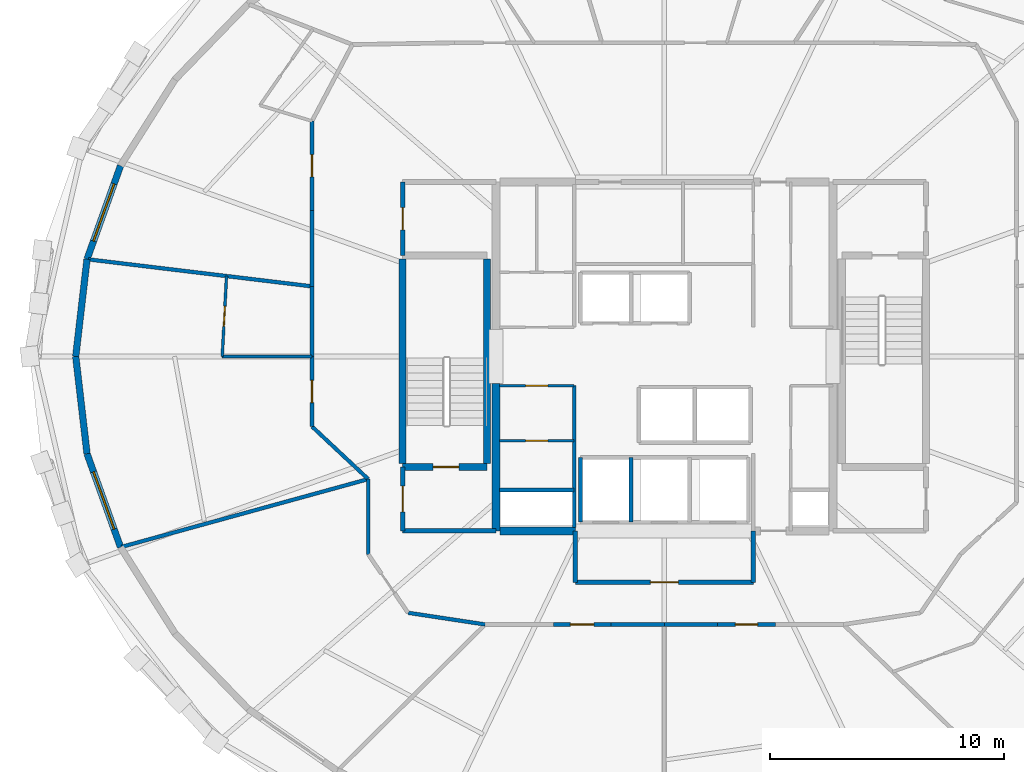
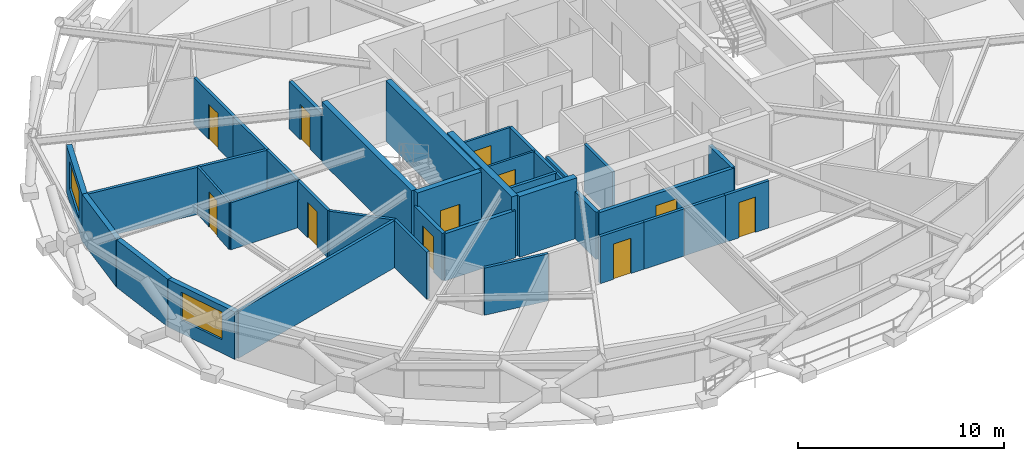
# One storey, part 12 of 16: 36 walls, 11 doors, 2 windows, 13 openings.
"""IFC4 building model written with IfcOpenShell, lengths in metres."""

from ifc_helpers import new_model, si_unit, direction, frame, frame_2d, origin, place, context, subcontext, project, spatial, rectangle, extrude, material, layer, layer_set, type_object, element, fill, save


model = new_model("IFC4")

# Units and contexts
model_context = context("Model", 3, precision=1e-05, world=origin(), true_north=direction((0.0, 1.0)))
body_context = subcontext(model_context, "Body", "Model", "MODEL_VIEW")
ifc_project = project(units=[si_unit("LENGTHUNIT", "METRE"), si_unit("AREAUNIT", "SQUARE_METRE"), si_unit("VOLUMEUNIT", "CUBIC_METRE"), si_unit("PLANEANGLEUNIT", "RADIAN"), si_unit("MASSUNIT", "GRAM", prefix="KILO")], contexts=[model_context])

# Site, building, storey
site_placement = place(None, origin())
site = spatial("IfcSite", under=ifc_project, at=site_placement, CompositionType="ELEMENT")
building_placement = place(site_placement, origin())
building = spatial("IfcBuilding", under=site, at=building_placement, Name="Veldorina Hangang Commons", CompositionType="ELEMENT")
storey_placement = place(building_placement, frame((0.0, 0.0, 189.199951171875)))
storey = spatial("IfcBuildingStorey", under=building, at=storey_placement, Name="L49", CompositionType="ELEMENT", Elevation=189.199951171875)

# Walls
ifc_material_1 = material(Name="Concrete C60/75", Category="concrete")
ifc_layer_1 = layer(ifc_material_1, 0.340087890625)
ifc_layer_set_1 = layer_set([ifc_layer_1], Name="Concrete C60/75")
wall_type_1 = type_object("IfcWallType", Name="CW-RC340-C60", PredefinedType="SHEAR", material=ifc_layer_set_1)
wall_1_placement = place(storey_placement, frame((24.800048828125, 16.550048828125, 0.0), z_axis=(0.0, 0.0, 1.0), x_axis=(0.0, 1.0, 0.0)))
element("IfcWall", 1, at=wall_1_placement, inside=storey, type_object=wall_type_1, Name="L49 W south core shear wall", PredefinedType="SHEAR", context=body_context, shape_type="SweptSolid", body=[
    extrude(rectangle(XDim=6.300048828125, YDim=0.340087890625, at=frame_2d((3.14990234375, 0.0))), origin(), (0.0, 0.0, 1.0), 3.60009765625),
])
wall_2_placement = place(storey_placement, frame((24.969970703125, 16.550048828125, 0.0), z_axis=(0.0, 0.0, 1.0), x_axis=(1.0, 0.0, 0.0)))
element("IfcWall", 2, at=wall_2_placement, inside=storey, type_object=wall_type_1, Name="L49 south-west core shear wall", PredefinedType="SHEAR", context=body_context, shape_type="SweptSolid", body=[
    extrude(rectangle(XDim=3.22998046875, YDim=0.340087890625, at=frame_2d((1.614990234375, 0.0))), origin(), (0.0, 0.0, 1.0), 3.60009765625),
])

# Wall, opening, window
ifc_material_2 = material(Name="Stone Roman Travertine", Category="masonry")
ifc_layer_2 = layer(ifc_material_2, 0.280029296875)
ifc_layer_set_2 = layer_set([ifc_layer_2], Name="Stone Roman Travertine")
wall_type_2 = type_object("IfcWallType", Name="EW-TRAV-280", PredefinedType="STANDARD", material=ifc_layer_set_2)
wall_3_placement = place(storey_placement, frame((8.77001953125, 32.14794921875, 0.0), z_axis=(0.0, 0.0, 1.0), x_axis=(-0.337262137127, -0.941410776898, 0.0)))
wall_3 = element("IfcWall", 3, at=wall_3_placement, inside=storey, type_object=wall_type_2, Name="L49 travertine facade wall 14", PredefinedType="STANDARD", context=body_context, shape_type="SweptSolid", body=[
    extrude(rectangle(XDim=4.24267578125, YDim=0.280029296875, at=frame_2d((2.121337890625, 0.0))), origin(), (0.0, 0.0, 1.0), 2.820068359375),
])
opening_1_placement = place(wall_3_placement, frame((0.8212890625, 0.0, 0.800048828125)))
opening_1 = element("IfcOpeningElement", 4, at=opening_1_placement, cuts=wall_3, Name="Opening W-02", PredefinedType="OPENING", context=body_context, shape_type="SweptSolid", body=[
    extrude(rectangle(XDim=2.60009765625, YDim=1.64990234375, at=frame_2d((1.300048828125, 0.824951171875))), frame((0.0, 0.14990234375, 0.0), z_axis=(0.0, -1.0, 0.0), x_axis=(1.0, 0.0, 0.0)), (0.0, 0.0, 1.0), 0.300048828125),
])
ifc_material_3 = material(Name="Glass Low-E Triple IGU", Category="glass")
window_type = type_object("IfcWindowType", Name="WIN-TWR-2600", PartitioningType="SINGLE_PANEL", PredefinedType="WINDOW", material=ifc_material_3)
window_1_placement = place(opening_1_placement, origin())
window_1 = element("IfcWindow", 5, at=window_1_placement, inside=storey, type_object=window_type, Name="L49 facade window 14", OverallHeight=1.64990234375, OverallWidth=2.60009765625, PartitioningType="SINGLE_PANEL", PredefinedType="WINDOW", context=body_context, shape_type="SweptSolid", body=[
    extrude(rectangle(XDim=2.60009765625, YDim=1.64990234375, at=frame_2d((1.300048828125, 0.824951171875))), frame((0.0, 0.030029296875, 0.0), z_axis=(0.0, -1.0, 0.0), x_axis=(1.0, 0.0, 0.0)), (0.0, 0.0, 1.0), 0.06005859375),
])
fill(opening_1, window_1)

# Walls
for number, where, z_axis, x_axis, name in (
    (6, (7.339111328125, 28.15380859375, 0.0), (0.0, 0.0, 1.0), (-0.115537027225, -0.99330317393, 0.0), "L49 travertine facade wall 15"),
    (7, (6.85595703125, 24.0, 0.0), (0.0, 0.0, 1.0), (0.115537027225, -0.99330317393, 0.0), "L49 travertine facade wall 16"),
):
    element("IfcWall", number, at=place(storey_placement, frame(where, z_axis=z_axis, x_axis=x_axis)), inside=storey, type_object=wall_type_2, Name=name, PredefinedType="STANDARD", context=body_context, shape_type="SweptSolid", body=[
        extrude(rectangle(XDim=4.181884765625, YDim=0.280029296875, at=frame_2d((2.0908203125, 0.0))), origin(), (0.0, 0.0, 1.0), 2.820068359375),
    ])

# Wall, opening, window
wall_4_placement = place(storey_placement, frame((7.339111328125, 19.84619140625, 0.0), z_axis=(0.0, 0.0, 1.0), x_axis=(0.337262137127, -0.941410776898, 0.0)))
wall_4 = element("IfcWall", 8, at=wall_4_placement, inside=storey, type_object=wall_type_2, Name="L49 travertine facade wall 17", PredefinedType="STANDARD", context=body_context, shape_type="SweptSolid", body=[
    extrude(rectangle(XDim=4.24267578125, YDim=0.280029296875, at=frame_2d((2.121337890625, 0.0))), origin(), (0.0, 0.0, 1.0), 2.820068359375),
])
opening_2_placement = place(wall_4_placement, frame((0.8212890625, 0.0, 0.800048828125)))
opening_2 = element("IfcOpeningElement", 9, at=opening_2_placement, cuts=wall_4, Name="Opening W-02", PredefinedType="OPENING", context=body_context, shape_type="SweptSolid", body=[
    extrude(rectangle(XDim=2.60009765625, YDim=1.64990234375, at=frame_2d((1.300048828125, 0.824951171875))), frame((0.0, 0.14990234375, 0.0), z_axis=(0.0, -1.0, 0.0), x_axis=(1.0, 0.0, 0.0)), (0.0, 0.0, 1.0), 0.300048828125),
])
window_2_placement = place(opening_2_placement, origin())
window_2 = element("IfcWindow", 10, at=window_2_placement, inside=storey, type_object=window_type, Name="L49 facade window 17", OverallHeight=1.64990234375, OverallWidth=2.60009765625, PartitioningType="SINGLE_PANEL", PredefinedType="WINDOW", context=body_context, shape_type="SweptSolid", body=[
    extrude(rectangle(XDim=2.60009765625, YDim=1.64990234375, at=frame_2d((1.300048828125, 0.824951171875))), frame((0.0, 0.030029296875, 0.0), z_axis=(0.0, -1.0, 0.0), x_axis=(1.0, 0.0, 0.0)), (0.0, 0.0, 1.0), 0.06005859375),
])
fill(opening_2, window_2)

# Walls
ifc_material_4 = material(Name="Concrete C50/60", Category="concrete")
ifc_layer_3 = layer(ifc_material_4, 0.300048828125)
ifc_layer_set_3 = layer_set([ifc_layer_3], Name="Concrete C50/60")
wall_type_3 = type_object("IfcWallType", Name="SW-STAIR-300", PredefinedType="SHEAR", material=ifc_layer_set_3)
for number, where, z_axis, x_axis, name in (
    (11, (20.820068359375, 19.429931640625, 0.0), (0.0, 0.0, 1.0), (0.0, 1.0, 0.0), "L49 ST1 outer stair shear wall"),
    (12, (24.419921875, 19.429931640625, 0.0), (0.0, 0.0, 1.0), (0.0, 1.0, 0.0), "L49 ST1 inner stair shear wall"),
):
    element("IfcWall", number, at=place(storey_placement, frame(where, z_axis=z_axis, x_axis=x_axis)), inside=storey, type_object=wall_type_3, Name=name, PredefinedType="SHEAR", context=body_context, shape_type="SweptSolid", body=[
        extrude(rectangle(XDim=8.739990234375, YDim=0.300048828125, at=frame_2d((4.3701171875, 0.0))), origin(), (0.0, 0.0, 1.0), 3.60009765625),
    ])

# Wall, opening, door
wall_5_placement = place(storey_placement, frame((20.820068359375, 19.280029296875, 0.0), z_axis=(0.0, 0.0, 1.0), x_axis=(1.0, 0.0, 0.0)))
wall_5 = element("IfcWall", 13, at=wall_5_placement, inside=storey, type_object=wall_type_3, Name="L49 ST1 south stair shear wall", PredefinedType="SHEAR", context=body_context, shape_type="SweptSolid", body=[
    extrude(rectangle(XDim=3.599853515625, YDim=0.300048828125, at=frame_2d((1.7998046875, 0.0))), origin(), (0.0, 0.0, 1.0), 3.60009765625),
])
opening_3_placement = place(wall_5_placement, frame((1.300048828125, 0.0, 0.0)))
opening_3 = element("IfcOpeningElement", 14, at=opening_3_placement, cuts=wall_5, Name="Opening D-08", PredefinedType="OPENING", context=body_context, shape_type="SweptSolid", body=[
    extrude(rectangle(XDim=1.10009765625, YDim=2.10009765625, at=frame_2d((0.550048828125, 1.050048828125))), frame((0.0, 0.16015625, 0.0), z_axis=(0.0, -1.0, 0.0), x_axis=(1.0, 0.0, 0.0)), (0.0, 0.0, 1.0), 0.320068359375),
])
ifc_material_5 = material(Name="Steel Fire-Rated Smoke Seal", Category="steel")
door_type_1 = type_object("IfcDoorType", Name="DR-FIRE-1100", OperationType="SINGLE_SWING_RIGHT", PredefinedType="DOOR", material=ifc_material_5)
door_1_placement = place(opening_3_placement, origin())
door_1 = element("IfcDoor", 15, at=door_1_placement, inside=storey, type_object=door_type_1, Name="L49 Special Escape Stair ST-1 door", OperationType="SINGLE_SWING_LEFT", OverallHeight=2.10009765625, OverallWidth=1.10009765625, PredefinedType="DOOR", context=body_context, shape_type="SweptSolid", body=[
    extrude(rectangle(XDim=1.10009765625, YDim=2.10009765625, at=frame_2d((0.550048828125, 1.050048828125))), frame((0.0, 0.02490234375, 0.0), z_axis=(0.0, -1.0, 0.0), x_axis=(1.0, 0.0, 0.0)), (0.0, 0.0, 1.0), 0.050048828125),
])
fill(opening_3, door_1)

# Walls
ifc_material_6 = material(Name="Gypsum Fire-Rated Twin Stud Wall", Category="gypsum")
ifc_layer_4 = layer(ifc_material_6, 0.159912109375)
ifc_layer_set_4 = layer_set([ifc_layer_4], Name="Gypsum Fire-Rated Twin Stud Wall")
wall_type_4 = type_object("IfcWallType", Name="WL-FIRE-160", PredefinedType="SOLIDWALL", material=ifc_layer_set_4)
for number, where, z_axis, x_axis, name in (
    (16, (28.419921875, 16.919921875, 0.0), (0.0, 0.0, 1.0), (0.0, 1.0, 0.0), "L49 FFL-1 west shaft wall 027"),
    (17, (30.580078125, 16.919921875, 0.0), (0.0, 0.0, 1.0), (0.0, 1.0, 0.0), "L49 FFL-1 east shaft wall 028"),
):
    element("IfcWall", number, at=place(storey_placement, frame(where, z_axis=z_axis, x_axis=x_axis)), inside=storey, type_object=wall_type_4, Name=name, PredefinedType="SOLIDWALL", context=body_context, shape_type="SweptSolid", body=[
        extrude(rectangle(XDim=2.760009765625, YDim=0.159912109375, at=frame_2d((1.3798828125, 0.0))), origin(), (0.0, 0.0, 1.0), 2.800048828125),
    ])
wall_6_placement = place(storey_placement, frame((24.949951171875, 18.300048828125, 0.0), z_axis=(0.0, 0.0, 1.0), x_axis=(1.0, 0.0, 0.0)))
element("IfcWall", 18, at=wall_6_placement, inside=storey, type_object=wall_type_4, Name="L49 Electrical riser wall 035", PredefinedType="SOLIDWALL", context=body_context, shape_type="SweptSolid", body=[
    extrude(rectangle(XDim=3.199951171875, YDim=0.159912109375, at=frame_2d((1.60009765625, 0.0))), origin(), (0.0, 0.0, 1.0), 2.800048828125),
])
wall_7_placement = place(storey_placement, frame((28.14990234375, 16.699951171875, 0.0), z_axis=(0.0, 0.0, 1.0), x_axis=(0.0, 1.0, 0.0)))
element("IfcWall", 19, at=wall_7_placement, inside=storey, type_object=wall_type_4, Name="L49 SW core inner wall 036", PredefinedType="SOLIDWALL", context=body_context, shape_type="SweptSolid", body=[
    extrude(rectangle(XDim=6.050048828125, YDim=0.159912109375, at=frame_2d((3.02490234375, 0.0))), origin(), (0.0, 0.0, 1.0), 2.800048828125),
])

# Wall, opening, door
wall_8_placement = place(storey_placement, frame((16.949951171875, 34.05615234375, 0.0), z_axis=(0.0, 0.0, 1.0), x_axis=(0.0, -1.0, 0.0)))
wall_8 = element("IfcWall", 20, at=wall_8_placement, inside=storey, type_object=wall_type_4, Name="L49 U-corridor outer wall 13 061", PredefinedType="SOLIDWALL", context=body_context, shape_type="SweptSolid", body=[
    extrude(rectangle(XDim=3.822265625, YDim=0.159912109375, at=frame_2d((1.9111328125, 0.0))), origin(), (0.0, 0.0, 1.0), 2.800048828125),
])
opening_4_placement = place(wall_8_placement, frame((1.43603515625, 0.0, 0.0)))
opening_4 = element("IfcOpeningElement", 21, at=opening_4_placement, cuts=wall_8, Name="Opening D-03", PredefinedType="OPENING", context=body_context, shape_type="SweptSolid", body=[
    extrude(rectangle(XDim=0.949951171875, YDim=2.10009765625, at=frame_2d((0.47509765625, 1.050048828125))), frame((0.0, 0.08984375, 0.0), z_axis=(0.0, -1.0, 0.0), x_axis=(1.0, 0.0, 0.0)), (0.0, 0.0, 1.0), 0.179931640625),
])
ifc_material_7 = material(Name="Timber Fire-Rated Entrance Core", Category="wood")
door_type_2 = type_object("IfcDoorType", Name="DR-UNIT-950", OperationType="SINGLE_SWING_RIGHT", PredefinedType="DOOR", material=ifc_material_7)
door_2_placement = place(opening_4_placement, origin())
door_2 = element("IfcDoor", 22, at=door_2_placement, inside=storey, type_object=door_type_2, Name="L49 Studio 5 entrance door 032", OperationType="SINGLE_SWING_RIGHT", OverallHeight=2.10009765625, OverallWidth=0.949951171875, PredefinedType="DOOR", context=body_context, shape_type="SweptSolid", body=[
    extrude(rectangle(XDim=0.949951171875, YDim=2.10009765625, at=frame_2d((0.47509765625, 1.050048828125))), frame((0.0, 0.02490234375, 0.0), z_axis=(0.0, -1.0, 0.0), x_axis=(1.0, 0.0, 0.0)), (0.0, 0.0, 1.0), 0.050048828125),
])
fill(opening_4, door_2)

# Walls
wall_9_placement = place(storey_placement, frame((16.949951171875, 30.23388671875, 0.0), z_axis=(0.0, 0.0, 1.0), x_axis=(0.0, -1.0, 0.0)))
element("IfcWall", 23, at=wall_9_placement, inside=storey, type_object=wall_type_4, Name="L49 U-corridor outer wall 14 062", PredefinedType="SOLIDWALL", context=body_context, shape_type="SweptSolid", body=[
    extrude(rectangle(XDim=3.240234375, YDim=0.159912109375, at=frame_2d((1.6201171875, 0.0))), origin(), (0.0, 0.0, 1.0), 2.800048828125),
])
wall_10_placement = place(storey_placement, frame((16.949951171875, 26.99365234375, 0.0), z_axis=(0.0, 0.0, 1.0), x_axis=(0.0, -1.0, 0.0)))
element("IfcWall", 24, at=wall_10_placement, inside=storey, type_object=wall_type_4, Name="L49 U-corridor outer wall 15 063", PredefinedType="SOLIDWALL", context=body_context, shape_type="SweptSolid", body=[
    extrude(rectangle(XDim=2.99365234375, YDim=0.159912109375, at=frame_2d((1.496826171875, 0.0))), origin(), (0.0, 0.0, 1.0), 2.800048828125),
])

# Wall, opening, door
wall_11_placement = place(storey_placement, frame((16.949951171875, 24.0, 0.0), z_axis=(0.0, 0.0, 1.0), x_axis=(0.0, -1.0, 0.0)))
wall_11 = element("IfcWall", 25, at=wall_11_placement, inside=storey, type_object=wall_type_4, Name="L49 U-corridor outer wall 16 064", PredefinedType="SOLIDWALL", context=body_context, shape_type="SweptSolid", body=[
    extrude(rectangle(XDim=2.99365234375, YDim=0.159912109375, at=frame_2d((1.496826171875, 0.0))), origin(), (0.0, 0.0, 1.0), 2.800048828125),
])
opening_5_placement = place(wall_11_placement, frame((1.021728515625, 0.0, 0.0)))
opening_5 = element("IfcOpeningElement", 26, at=opening_5_placement, cuts=wall_11, Name="Opening D-03", PredefinedType="OPENING", context=body_context, shape_type="SweptSolid", body=[
    extrude(rectangle(XDim=0.949951171875, YDim=2.10009765625, at=frame_2d((0.47509765625, 1.050048828125))), frame((0.0, 0.08984375, 0.0), z_axis=(0.0, -1.0, 0.0), x_axis=(1.0, 0.0, 0.0)), (0.0, 0.0, 1.0), 0.179931640625),
])
door_3_placement = place(opening_5_placement, origin())
door_3 = element("IfcDoor", 27, at=door_3_placement, inside=storey, type_object=door_type_2, Name="L49 Studio 6 entrance door 034", OperationType="SINGLE_SWING_RIGHT", OverallHeight=2.10009765625, OverallWidth=0.949951171875, PredefinedType="DOOR", context=body_context, shape_type="SweptSolid", body=[
    extrude(rectangle(XDim=0.949951171875, YDim=2.10009765625, at=frame_2d((0.47509765625, 1.050048828125))), frame((0.0, 0.02490234375, 0.0), z_axis=(0.0, -1.0, 0.0), x_axis=(1.0, 0.0, 0.0)), (0.0, 0.0, 1.0), 0.050048828125),
])
fill(opening_5, door_3)

# Walls
wall_12_placement = place(storey_placement, frame((16.949951171875, 21.00634765625, 0.0), z_axis=(0.0, 0.0, 1.0), x_axis=(0.730150682073, -0.683286163674, 0.0)))
element("IfcWall", 28, at=wall_12_placement, inside=storey, type_object=wall_type_4, Name="L49 U-corridor outer wall 17 065", PredefinedType="SOLIDWALL", context=body_context, shape_type="SweptSolid", body=[
    extrude(rectangle(XDim=3.287109375, YDim=0.159912109375, at=frame_2d((1.6435546875, 0.0))), origin(), (0.0, 0.0, 1.0), 2.800048828125),
])
wall_13_placement = place(storey_placement, frame((19.35009765625, 18.76025390625, 0.0), z_axis=(0.0, 0.0, 1.0), x_axis=(0.0, -1.0, 0.0)))
element("IfcWall", 29, at=wall_13_placement, inside=storey, type_object=wall_type_4, Name="L49 U-corridor outer wall 18 066", PredefinedType="SOLIDWALL", context=body_context, shape_type="SweptSolid", body=[
    extrude(rectangle(XDim=3.212646484375, YDim=0.159912109375, at=frame_2d((1.6064453125, 0.0))), origin(), (0.0, 0.0, 1.0), 2.800048828125),
])
wall_14_placement = place(storey_placement, frame((21.050048828125, 13.050048828125, 0.0), z_axis=(0.0, 0.0, 1.0), x_axis=(0.988710906508, -0.149835721217, 0.0)))
element("IfcWall", 30, at=wall_14_placement, inside=storey, type_object=wall_type_4, Name="L49 U-corridor outer wall 20 068", PredefinedType="SOLIDWALL", context=body_context, shape_type="SweptSolid", body=[
    extrude(rectangle(XDim=3.3369140625, YDim=0.159912109375, at=frame_2d((1.66845703125, 0.0))), origin(), (0.0, 0.0, 1.0), 2.800048828125),
])

# Wall, opening, door
wall_15_placement = place(storey_placement, frame((27.25732421875, 12.550048828125, 0.0), z_axis=(0.0, 0.0, 1.0), x_axis=(1.0, 0.0, 0.0)))
wall_15 = element("IfcWall", 31, at=wall_15_placement, inside=storey, type_object=wall_type_4, Name="L49 U-corridor outer wall 22 070", PredefinedType="SOLIDWALL", context=body_context, shape_type="SweptSolid", body=[
    extrude(rectangle(XDim=2.465087890625, YDim=0.159912109375, at=frame_2d((1.232421875, 0.0))), origin(), (0.0, 0.0, 1.0), 2.800048828125),
])
opening_6_placement = place(wall_15_placement, frame((0.732666015625, 0.0, 0.0)))
opening_6 = element("IfcOpeningElement", 32, at=opening_6_placement, cuts=wall_15, Name="Opening D-05", PredefinedType="OPENING", context=body_context, shape_type="SweptSolid", body=[
    extrude(rectangle(XDim=1.0, YDim=2.10009765625, at=frame_2d((0.5, 1.050048828125))), frame((0.0, 0.08984375, 0.0), z_axis=(0.0, -1.0, 0.0), x_axis=(1.0, 0.0, 0.0)), (0.0, 0.0, 1.0), 0.179931640625),
])
ifc_material_8 = material(Name="Timber Solid Core Acoustic", Category="wood")
door_type_3 = type_object("IfcDoorType", Name="DR-INT-1000", OperationType="SINGLE_SWING_RIGHT", PredefinedType="DOOR", material=ifc_material_8)
door_4_placement = place(opening_6_placement, origin())
door_4 = element("IfcDoor", 33, at=door_4_placement, inside=storey, type_object=door_type_3, Name="L49 Floor Study Room 8 door 036", OperationType="SINGLE_SWING_RIGHT", OverallHeight=2.10009765625, OverallWidth=1.0, PredefinedType="DOOR", context=body_context, shape_type="SweptSolid", body=[
    extrude(rectangle(XDim=1.0, YDim=2.10009765625, at=frame_2d((0.5, 1.050048828125))), frame((0.0, 0.02490234375, 0.0), z_axis=(0.0, -1.0, 0.0), x_axis=(1.0, 0.0, 0.0)), (0.0, 0.0, 1.0), 0.050048828125),
])
fill(opening_6, door_4)

# Walls
for number, where, z_axis, x_axis, name in (
    (34, (29.722412109375, 12.550048828125, 0.0), (0.0, 0.0, 1.0), (1.0, 0.0, 0.0), "L49 U-corridor outer wall 23 071"),
    (35, (32.0, 12.550048828125, 0.0), (0.0, 0.0, 1.0), (1.0, 0.0, 0.0), "L49 U-corridor outer wall 24 072"),
):
    element("IfcWall", number, at=place(storey_placement, frame(where, z_axis=z_axis, x_axis=x_axis)), inside=storey, type_object=wall_type_4, Name=name, PredefinedType="SOLIDWALL", context=body_context, shape_type="SweptSolid", body=[
        extrude(rectangle(XDim=2.277587890625, YDim=0.159912109375, at=frame_2d((1.138671875, 0.0))), origin(), (0.0, 0.0, 1.0), 2.800048828125),
    ])

# Wall, opening, door
wall_16_placement = place(storey_placement, frame((34.277587890625, 12.550048828125, 0.0), z_axis=(0.0, 0.0, 1.0), x_axis=(1.0, 0.0, 0.0)))
wall_16 = element("IfcWall", 36, at=wall_16_placement, inside=storey, type_object=wall_type_4, Name="L49 U-corridor outer wall 25 073", PredefinedType="SOLIDWALL", context=body_context, shape_type="SweptSolid", body=[
    extrude(rectangle(XDim=2.465087890625, YDim=0.159912109375, at=frame_2d((1.232421875, 0.0))), origin(), (0.0, 0.0, 1.0), 2.800048828125),
])
opening_7_placement = place(wall_16_placement, frame((0.757568359375, 0.0, 0.0)))
opening_7 = element("IfcOpeningElement", 37, at=opening_7_placement, cuts=wall_16, Name="Opening D-02", PredefinedType="OPENING", context=body_context, shape_type="SweptSolid", body=[
    extrude(rectangle(XDim=0.949951171875, YDim=2.10009765625, at=frame_2d((0.47509765625, 1.050048828125))), frame((0.0, 0.08984375, 0.0), z_axis=(0.0, -1.0, 0.0), x_axis=(1.0, 0.0, 0.0)), (0.0, 0.0, 1.0), 0.179931640625),
])
door_type_4 = type_object("IfcDoorType", Name="DR-INT-950", OperationType="SINGLE_SWING_LEFT", PredefinedType="DOOR", material=ifc_material_8)
door_5_placement = place(opening_7_placement, origin())
door_5 = element("IfcDoor", 38, at=door_5_placement, inside=storey, type_object=door_type_4, Name="L49 Linen drying store door 037", OperationType="SINGLE_SWING_LEFT", OverallHeight=2.10009765625, OverallWidth=0.949951171875, PredefinedType="DOOR", context=body_context, shape_type="SweptSolid", body=[
    extrude(rectangle(XDim=0.949951171875, YDim=2.10009765625, at=frame_2d((0.47509765625, 1.050048828125))), frame((0.0, 0.02490234375, 0.0), z_axis=(0.0, -1.0, 0.0), x_axis=(1.0, 0.0, 0.0)), (0.0, 0.0, 1.0), 0.050048828125),
])
fill(opening_7, door_5)

# Walls
wall_17_placement = place(storey_placement, frame((16.949951171875, 26.99365234375, 0.0), z_axis=(0.0, 0.0, 1.0), x_axis=(-0.992794313126, 0.119830930167, 0.0)))
element("IfcWall", 39, at=wall_17_placement, inside=storey, type_object=wall_type_4, Name="L49 Unit party wall 15 103", PredefinedType="SOLIDWALL", context=body_context, shape_type="SweptSolid", body=[
    extrude(rectangle(XDim=9.630615234375, YDim=0.159912109375, at=frame_2d((4.8154296875, 0.0))), origin(), (0.0, 0.0, 1.0), 2.800048828125),
])
wall_18_placement = place(storey_placement, frame((19.35009765625, 18.76025390625, 0.0), z_axis=(0.0, 0.0, 1.0), x_axis=(-0.964240957632, -0.265027122433, 0.0)))
element("IfcWall", 40, at=wall_18_placement, inside=storey, type_object=wall_type_4, Name="L49 Unit party wall 18 106", PredefinedType="SOLIDWALL", context=body_context, shape_type="SweptSolid", body=[
    extrude(rectangle(XDim=10.922607421875, YDim=0.159912109375, at=frame_2d((5.46142578125, 0.0))), origin(), (0.0, 0.0, 1.0), 2.800048828125),
])

# Wall, opening, door
ifc_material_9 = material(Name="Concrete Blockwork Fire Wall C30/37", Category="masonry")
ifc_layer_5 = layer(ifc_material_9, 0.199951171875)
ifc_layer_set_5 = layer_set([ifc_layer_5], Name="Concrete Blockwork Fire Wall C30/37")
wall_type_5 = type_object("IfcWallType", Name="WL-FIRE-200", PredefinedType="SOLIDWALL", material=ifc_layer_set_5)
wall_19_placement = place(storey_placement, frame((20.820068359375, 16.550048828125, 0.0), z_axis=(0.0, 0.0, 1.0), x_axis=(0.0, 1.0, 0.0)))
wall_19 = element("IfcWall", 41, at=wall_19_placement, inside=storey, type_object=wall_type_5, Name="L49 West vestibule outer wall 001", PredefinedType="SOLIDWALL", context=body_context, shape_type="SweptSolid", body=[
    extrude(rectangle(XDim=2.72998046875, YDim=0.199951171875, at=frame_2d((1.364990234375, 0.0))), origin(), (0.0, 0.0, 1.0), 2.800048828125),
])
opening_8_placement = place(wall_19_placement, frame((0.81494140625, 0.0, 0.0)))
opening_8 = element("IfcOpeningElement", 42, at=opening_8_placement, cuts=wall_19, Name="Opening D-08", PredefinedType="OPENING", context=body_context, shape_type="SweptSolid", body=[
    extrude(rectangle(XDim=1.10009765625, YDim=2.10009765625, at=frame_2d((0.550048828125, 1.050048828125))), frame((0.0, 0.10986328125, 0.0), z_axis=(0.0, -1.0, 0.0), x_axis=(1.0, 0.0, 0.0)), (0.0, 0.0, 1.0), 0.219970703125),
])
door_6_placement = place(opening_8_placement, origin())
door_6 = element("IfcDoor", 43, at=door_6_placement, inside=storey, type_object=door_type_1, Name="L49 West vestibule west door 001", OperationType="SINGLE_SWING_LEFT", OverallHeight=2.10009765625, OverallWidth=1.10009765625, PredefinedType="DOOR", context=body_context, shape_type="SweptSolid", body=[
    extrude(rectangle(XDim=1.10009765625, YDim=2.10009765625, at=frame_2d((0.550048828125, 1.050048828125))), frame((0.0, 0.02490234375, 0.0), z_axis=(0.0, -1.0, 0.0), x_axis=(1.0, 0.0, 0.0)), (0.0, 0.0, 1.0), 0.050048828125),
])
fill(opening_8, door_6)

# Wall
wall_20_placement = place(storey_placement, frame((20.820068359375, 16.550048828125, 0.0), z_axis=(0.0, 0.0, 1.0), x_axis=(1.0, 0.0, 0.0)))
element("IfcWall", 44, at=wall_20_placement, inside=storey, type_object=wall_type_5, Name="L49 West vestibule south wall 002", PredefinedType="SOLIDWALL", context=body_context, shape_type="SweptSolid", body=[
    extrude(rectangle(XDim=3.97998046875, YDim=0.199951171875, at=frame_2d((1.989990234375, 0.0))), origin(), (0.0, 0.0, 1.0), 2.800048828125),
])

# Wall, opening, door
wall_21_placement = place(storey_placement, frame((20.820068359375, 28.320068359375, 0.0), z_axis=(0.0, 0.0, 1.0), x_axis=(0.0, 1.0, 0.0)))
wall_21 = element("IfcWall", 45, at=wall_21_placement, inside=storey, type_object=wall_type_5, Name="L49 NW core room outer wall 005", PredefinedType="SOLIDWALL", context=body_context, shape_type="SweptSolid", body=[
    extrude(rectangle(XDim=3.1298828125, YDim=0.199951171875, at=frame_2d((1.56494140625, 0.0))), origin(), (0.0, 0.0, 1.0), 2.800048828125),
])
opening_9_placement = place(wall_21_placement, frame((1.090087890625, 0.0, 0.0)))
opening_9 = element("IfcOpeningElement", 46, at=opening_9_placement, cuts=wall_21, Name="Opening D-04", PredefinedType="OPENING", context=body_context, shape_type="SweptSolid", body=[
    extrude(rectangle(XDim=0.949951171875, YDim=2.10009765625, at=frame_2d((0.47509765625, 1.050048828125))), frame((0.0, 0.10986328125, 0.0), z_axis=(0.0, -1.0, 0.0), x_axis=(1.0, 0.0, 0.0)), (0.0, 0.0, 1.0), 0.219970703125),
])
ifc_material_10 = material(Name="Timber Accessible Flush Leaf", Category="wood")
door_type_5 = type_object("IfcDoorType", Name="DR-ACC-950", OperationType="SINGLE_SWING_LEFT", PredefinedType="DOOR", material=ifc_material_10)
door_7_placement = place(opening_9_placement, origin())
door_7 = element("IfcDoor", 47, at=door_7_placement, inside=storey, type_object=door_type_5, Name="L49 NW core WC door 003", OperationType="SINGLE_SWING_LEFT", OverallHeight=2.10009765625, OverallWidth=0.949951171875, PredefinedType="DOOR", context=body_context, shape_type="SweptSolid", body=[
    extrude(rectangle(XDim=0.949951171875, YDim=2.10009765625, at=frame_2d((0.47509765625, 1.050048828125))), frame((0.0, 0.02490234375, 0.0), z_axis=(0.0, -1.0, 0.0), x_axis=(1.0, 0.0, 0.0)), (0.0, 0.0, 1.0), 0.050048828125),
])
fill(opening_9, door_7)

# Walls
for number, where, z_axis, x_axis, name in (
    (48, (28.199951171875, 14.35009765625, 0.0), (0.0, 0.0, 1.0), (0.0, 1.0, 0.0), "L49 FF lobby west wall 012"),
    (49, (35.800048828125, 14.35009765625, 0.0), (0.0, 0.0, 1.0), (0.0, 1.0, 0.0), "L49 FF lobby east wall 013"),
):
    element("IfcWall", number, at=place(storey_placement, frame(where, z_axis=z_axis, x_axis=x_axis)), inside=storey, type_object=wall_type_5, Name=name, PredefinedType="SOLIDWALL", context=body_context, shape_type="SweptSolid", body=[
        extrude(rectangle(XDim=2.199951171875, YDim=0.199951171875, at=frame_2d((1.10009765625, 0.0))), origin(), (0.0, 0.0, 1.0), 2.800048828125),
    ])

# Wall, opening, door
wall_22_placement = place(storey_placement, frame((28.199951171875, 14.35009765625, 0.0), z_axis=(0.0, 0.0, 1.0), x_axis=(1.0, 0.0, 0.0)))
wall_22 = element("IfcWall", 50, at=wall_22_placement, inside=storey, type_object=wall_type_5, Name="L49 FF lobby south wall 014", PredefinedType="SOLIDWALL", context=body_context, shape_type="SweptSolid", body=[
    extrude(rectangle(XDim=7.60009765625, YDim=0.199951171875, at=frame_2d((3.800048828125, 0.0))), origin(), (0.0, 0.0, 1.0), 2.800048828125),
])
opening_10_placement = place(wall_22_placement, frame((3.199951171875, 0.0, 0.0)))
opening_10 = element("IfcOpeningElement", 51, at=opening_10_placement, cuts=wall_22, Name="Opening D-09", PredefinedType="OPENING", context=body_context, shape_type="SweptSolid", body=[
    extrude(rectangle(XDim=1.199951171875, YDim=2.10009765625, at=frame_2d((0.60009765625, 1.050048828125))), frame((0.0, 0.10986328125, 0.0), z_axis=(0.0, -1.0, 0.0), x_axis=(1.0, 0.0, 0.0)), (0.0, 0.0, 1.0), 0.219970703125),
])
ifc_material_11 = material(Name="Steel Fire-Rated Corridor Door", Category="steel")
door_type_6 = type_object("IfcDoorType", Name="DR-FIRE-1200", OperationType="SINGLE_SWING_LEFT", PredefinedType="DOOR", material=ifc_material_11)
door_8_placement = place(opening_10_placement, origin())
door_8 = element("IfcDoor", 52, at=door_8_placement, inside=storey, type_object=door_type_6, Name="L49 FF lobby south corridor door 005", OperationType="SINGLE_SWING_LEFT", OverallHeight=2.10009765625, OverallWidth=1.199951171875, PredefinedType="DOOR", context=body_context, shape_type="SweptSolid", body=[
    extrude(rectangle(XDim=1.199951171875, YDim=2.10009765625, at=frame_2d((0.60009765625, 1.050048828125))), frame((0.0, 0.02490234375, 0.0), z_axis=(0.0, -1.0, 0.0), x_axis=(1.0, 0.0, 0.0)), (0.0, 0.0, 1.0), 0.050048828125),
])
fill(opening_10, door_8)

ifc_material_12 = material(Name="Gypsum Acoustic Stud Partition", Category="gypsum")
ifc_layer_6 = layer(ifc_material_12, 0.1201171875)
ifc_layer_set_6 = layer_set([ifc_layer_6], Name="Gypsum Acoustic Stud Partition")
wall_type_6 = type_object("IfcWallType", Name="WL-PART-120", PredefinedType="PARTITIONING", material=ifc_layer_set_6)
wall_23_placement = place(storey_placement, frame((24.949951171875, 22.75, 0.0), z_axis=(0.0, 0.0, 1.0), x_axis=(1.0, 0.0, 0.0)))
wall_23 = element("IfcWall", 53, at=wall_23_placement, inside=storey, type_object=wall_type_6, Name="L49 SW service north wall 040", PredefinedType="PARTITIONING", context=body_context, shape_type="SweptSolid", body=[
    extrude(rectangle(XDim=3.199951171875, YDim=0.1201171875, at=frame_2d((1.60009765625, 0.0))), origin(), (0.0, 0.0, 1.0), 2.800048828125),
])
opening_11_placement = place(wall_23_placement, frame((1.125, 0.0, 0.0)))
opening_11 = element("IfcOpeningElement", 54, at=opening_11_placement, cuts=wall_23, Name="Opening D-02", PredefinedType="OPENING", context=body_context, shape_type="SweptSolid", body=[
    extrude(rectangle(XDim=0.949951171875, YDim=2.10009765625, at=frame_2d((0.47509765625, 1.050048828125))), frame((0.0, 0.070068359375, 0.0), z_axis=(0.0, -1.0, 0.0), x_axis=(1.0, 0.0, 0.0)), (0.0, 0.0, 1.0), 0.14013671875),
])
door_9_placement = place(opening_11_placement, origin())
door_9 = element("IfcDoor", 55, at=door_9_placement, inside=storey, type_object=door_type_4, Name="L49 Recycling room door 016", OperationType="SINGLE_SWING_RIGHT", OverallHeight=2.10009765625, OverallWidth=0.949951171875, PredefinedType="DOOR", context=body_context, shape_type="SweptSolid", body=[
    extrude(rectangle(XDim=0.949951171875, YDim=2.10009765625, at=frame_2d((0.47509765625, 1.050048828125))), frame((0.0, 0.02490234375, 0.0), z_axis=(0.0, -1.0, 0.0), x_axis=(1.0, 0.0, 0.0)), (0.0, 0.0, 1.0), 0.050048828125),
])
fill(opening_11, door_9)

wall_24_placement = place(storey_placement, frame((24.949951171875, 20.39990234375, 0.0), z_axis=(0.0, 0.0, 1.0), x_axis=(1.0, 0.0, 0.0)))
wall_24 = element("IfcWall", 56, at=wall_24_placement, inside=storey, type_object=wall_type_6, Name="L49 SW horizontal split 047", PredefinedType="PARTITIONING", context=body_context, shape_type="SweptSolid", body=[
    extrude(rectangle(XDim=3.199951171875, YDim=0.1201171875, at=frame_2d((1.60009765625, 0.0))), origin(), (0.0, 0.0, 1.0), 2.800048828125),
])
opening_12_placement = place(wall_24_placement, frame((1.125, 0.0, 0.0)))
opening_12 = element("IfcOpeningElement", 57, at=opening_12_placement, cuts=wall_24, Name="Opening D-02", PredefinedType="OPENING", context=body_context, shape_type="SweptSolid", body=[
    extrude(rectangle(XDim=0.949951171875, YDim=2.10009765625, at=frame_2d((0.47509765625, 1.050048828125))), frame((0.0, 0.070068359375, 0.0), z_axis=(0.0, -1.0, 0.0), x_axis=(1.0, 0.0, 0.0)), (0.0, 0.0, 1.0), 0.14013671875),
])
door_10_placement = place(opening_12_placement, origin())
door_10 = element("IfcDoor", 58, at=door_10_placement, inside=storey, type_object=door_type_4, Name="L49 Archive closet door 017", OperationType="SINGLE_SWING_LEFT", OverallHeight=2.10009765625, OverallWidth=0.949951171875, PredefinedType="DOOR", context=body_context, shape_type="SweptSolid", body=[
    extrude(rectangle(XDim=0.949951171875, YDim=2.10009765625, at=frame_2d((0.47509765625, 1.050048828125))), frame((0.0, 0.02490234375, 0.0), z_axis=(0.0, -1.0, 0.0), x_axis=(1.0, 0.0, 0.0)), (0.0, 0.0, 1.0), 0.050048828125),
])
fill(opening_12, door_10)

wall_25_placement = place(storey_placement, frame((13.2978515625, 27.4345703125, 0.0), z_axis=(0.0, 0.0, 1.0), x_axis=(-0.053378441483, -0.99857435476, 0.0)))
wall_25 = element("IfcWall", 59, at=wall_25_placement, inside=storey, type_object=wall_type_6, Name="L49 Studio 6 bath front wall 104", PredefinedType="PARTITIONING", context=body_context, shape_type="SweptSolid", body=[
    extrude(rectangle(XDim=3.439453125, YDim=0.1201171875, at=frame_2d((1.7197265625, 0.0))), origin(), (0.0, 0.0, 1.0), 2.800048828125),
])
opening_13_placement = place(wall_25_placement, frame((1.289794921875, 0.0, 0.0)))
opening_13 = element("IfcOpeningElement", 60, at=opening_13_placement, cuts=wall_25, Name="Opening D-01", PredefinedType="OPENING", context=body_context, shape_type="SweptSolid", body=[
    extrude(rectangle(XDim=0.860107421875, YDim=2.10009765625, at=frame_2d((0.43017578125, 1.050048828125))), frame((0.0, 0.070068359375, 0.0), z_axis=(0.0, -1.0, 0.0), x_axis=(1.0, 0.0, 0.0)), (0.0, 0.0, 1.0), 0.14013671875),
])
ifc_material_13 = material(Name="Timber Moisture-Resistant Core", Category="wood")
door_type_7 = type_object("IfcDoorType", Name="DR-WET-860", OperationType="SINGLE_SWING_LEFT", PredefinedType="DOOR", material=ifc_material_13)
door_11_placement = place(opening_13_placement, origin())
door_11 = element("IfcDoor", 61, at=door_11_placement, inside=storey, type_object=door_type_7, Name="L49 Studio 6 bathroom door 033", OperationType="SINGLE_SWING_LEFT", OverallHeight=2.10009765625, OverallWidth=0.860107421875, PredefinedType="DOOR", context=body_context, shape_type="SweptSolid", body=[
    extrude(rectangle(XDim=0.860107421875, YDim=2.10009765625, at=frame_2d((0.43017578125, 1.050048828125))), frame((0.0, 0.02490234375, 0.0), z_axis=(0.0, -1.0, 0.0), x_axis=(1.0, 0.0, 0.0)), (0.0, 0.0, 1.0), 0.050048828125),
])
fill(opening_13, door_11)

# Wall
wall_26_placement = place(storey_placement, frame((16.949951171875, 24.0, 0.0), z_axis=(0.0, 0.0, 1.0), x_axis=(-1.0, 0.0, 0.0)))
element("IfcWall", 62, at=wall_26_placement, inside=storey, type_object=wall_type_6, Name="L49 Studio 6 bath side wall 105", PredefinedType="PARTITIONING", context=body_context, shape_type="SweptSolid", body=[
    extrude(rectangle(XDim=3.835693359375, YDim=0.1201171875, at=frame_2d((1.91796875, 0.0))), origin(), (0.0, 0.0, 1.0), 2.800048828125),
])

save(model, "model.ifc")
